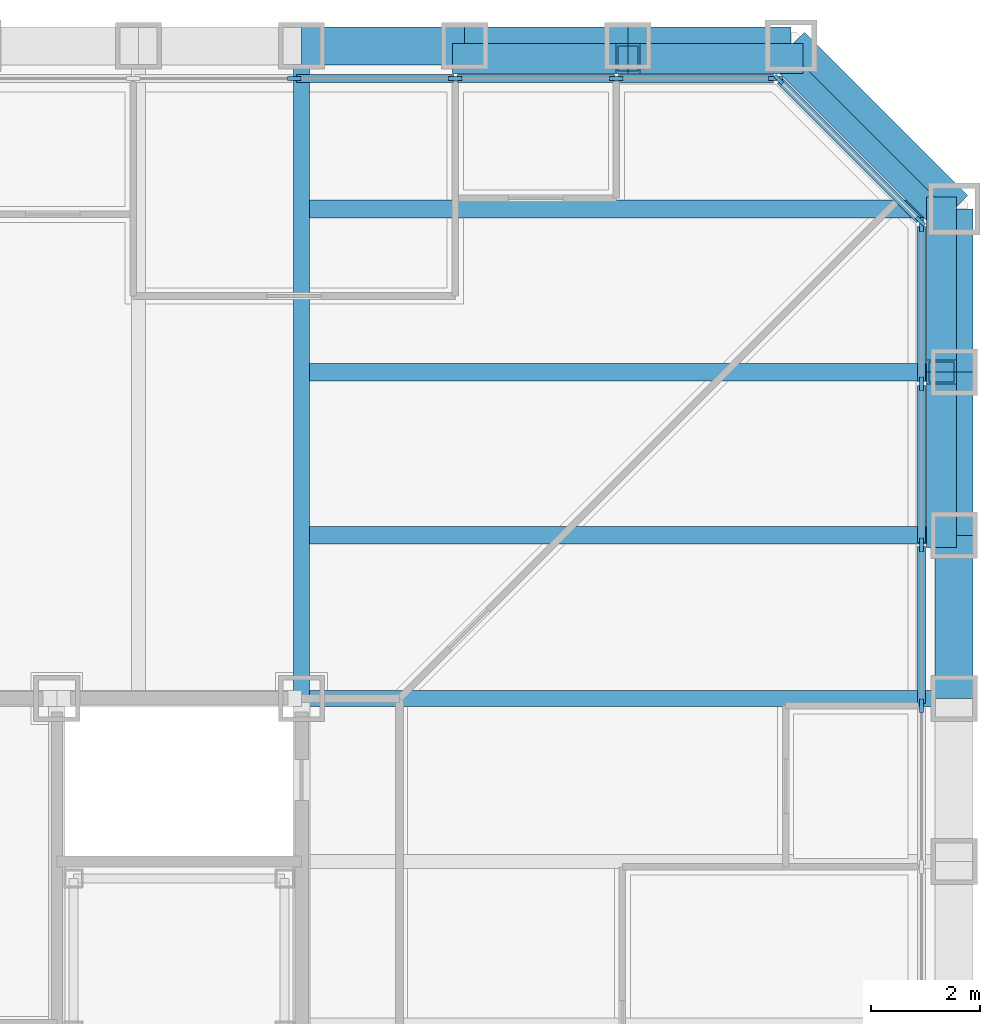
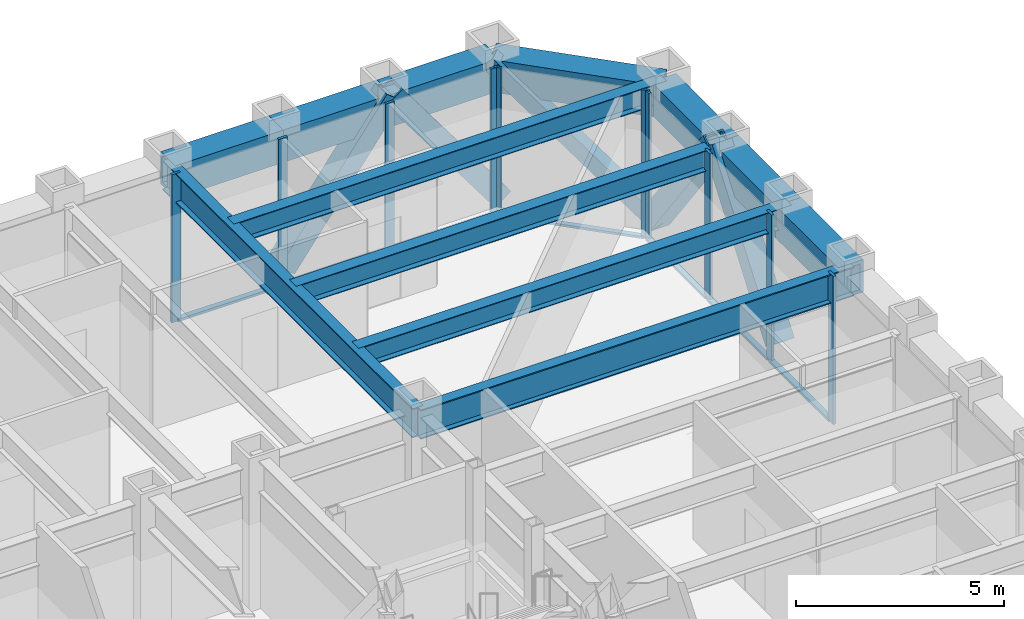
# One storey, part 6 of 17: 22 members, 12 beams, 3 elements without a shape of their own.
"""IFC4 building model written with IfcOpenShell, lengths in metres."""

import ifcopenshell
import ifcopenshell.guid

model = None  # the IFC model being written
_history = None  # IfcOwnerHistory: only IFC2X3 demands one
_inside = {}  # id of a spatial element -> (the spatial element, [elements in it])
_under = {}  # id of a project, library or spatial element -> (it, [spatial elements below it])
_declared = {}  # id of a project -> (the project, [libraries it declares])
_typed = {}  # id of a type object -> (the type object, [elements of that type])
_made_of = {}  # id of a material, layer set ... -> (it, [elements and type objects made of it])


def new_model(schema):
    """Start an empty IFC model of exactly this schema.

    Asked for "IFC4X3", IfcOpenShell would pick the latest addendum, in which some entities
    have other attributes; the version numbers below select the first issue.
    IFC2X3 requires an IfcOwnerHistory on every rooted entity: one is made here for all.
    """
    global model, _history
    if schema == "IFC4X3":
        model = ifcopenshell.file(schema_version=(4, 3, 0, 0))
    else:
        model = ifcopenshell.file(schema=schema)
    _inside.clear()
    _under.clear()
    _declared.clear()
    _typed.clear()
    _made_of.clear()
    _history = None
    if model.schema == "IFC2X3":
        org = make("IfcOrganization", Name="unknown")
        user = make(
            "IfcPersonAndOrganization",
            ThePerson=make("IfcPerson", FamilyName="unknown"),
            TheOrganization=org,
        )
        app = make(
            "IfcApplication",
            ApplicationDeveloper=org,
            Version="unknown",
            ApplicationFullName="unknown",
            ApplicationIdentifier="unknown",
        )
        _history = make(
            "IfcOwnerHistory",
            OwningUser=user,
            OwningApplication=app,
            ChangeAction="ADDED",
            CreationDate=0,
        )
    return model


def make(cls, **values):
    """One entity of the class cls with the attributes given. An attribute that is None is left unset."""
    return model.create_entity(
        cls, **{name: value for name, value in values.items() if value is not None}
    )


def rooted(cls, **values):
    """An entity with a GlobalId (a new one), such as an element, a storey or a relation."""
    return make(cls, GlobalId=ifcopenshell.guid.new(), OwnerHistory=_history, **values)


def si_unit(unit_type, name, prefix=None):
    """IfcSIUnit, for example si_unit("LENGTHUNIT", "METRE", prefix="MILLI")."""
    return make("IfcSIUnit", UnitType=unit_type, Prefix=prefix, Name=name)


def assignment(units):
    """IfcUnitAssignment: the units of a project."""
    return None if units is None else make("IfcUnitAssignment", Units=units)


def point(xyz):
    """IfcCartesianPoint."""
    return None if xyz is None else make("IfcCartesianPoint", Coordinates=xyz)


def direction(xyz):
    """IfcDirection."""
    return None if xyz is None else make("IfcDirection", DirectionRatios=xyz)


def frame(location, z_axis=None, x_axis=None):
    """IfcAxis2Placement3D, a coordinate frame: its origin and axes. An axis left out is left unset."""
    return make(
        "IfcAxis2Placement3D",
        Location=point(location),
        Axis=direction(z_axis),
        RefDirection=direction(x_axis),
    )


def frame_2d(location, x_axis=None):
    """IfcAxis2Placement2D, a coordinate frame in the plane: its origin and x axis."""
    return make(
        "IfcAxis2Placement2D", Location=point(location), RefDirection=direction(x_axis)
    )


def origin():
    """The frame at (0, 0, 0) with its axes left unset."""
    return frame((0.0, 0.0, 0.0))


def origin_2d():
    """The frame at (0, 0) in the plane with its x axis left unset."""
    return frame_2d((0.0, 0.0))


def place(relative_to, where):
    """IfcLocalPlacement: puts the frame where relative to a parent placement (None: the world)."""
    return make(
        "IfcLocalPlacement", PlacementRelTo=relative_to, RelativePlacement=where
    )


def context(
    kind, dimensions, precision=None, world=None, true_north=None, identifier=None
):
    """IfcGeometricRepresentationContext, for example the 3D "Model" context."""
    return make(
        "IfcGeometricRepresentationContext",
        ContextIdentifier=identifier,
        ContextType=kind,
        CoordinateSpaceDimension=dimensions,
        Precision=precision,
        WorldCoordinateSystem=world,
        TrueNorth=true_north,
    )


def subcontext(parent, identifier, kind, view, scale=None):
    """IfcGeometricRepresentationSubContext, for example "Body" below "Model"."""
    return make(
        "IfcGeometricRepresentationSubContext",
        ContextIdentifier=identifier,
        ContextType=kind,
        ParentContext=parent,
        TargetScale=scale,
        TargetView=view,
    )


def project(units=None, contexts=None):
    """IfcProject with its units and contexts."""
    return rooted(
        "IfcProject",
        Name="project",
        RepresentationContexts=contexts,
        UnitsInContext=assignment(units),
    )


def spatial(cls, under=None, at=None, **own):
    """A site, building, storey or space (cls), placed at a placement, below another one or the project."""
    s = rooted(cls, ObjectPlacement=at, **own)
    if under is not None:
        _under.setdefault(under.id(), (under, []))[1].append(s)
    return s


def profile(cls, at=None, kind="AREA", **sizes):
    """A parametric profile (cls). Its sizes go by their IFC names, for example OverallWidth=200.0."""
    return make(cls, ProfileType=kind, Position=at, **sizes)


def rectangle(**sizes):
    """IfcRectangleProfileDef."""
    return profile("IfcRectangleProfileDef", **sizes)


def hollow_rectangle(**sizes):
    """IfcRectangleHollowProfileDef."""
    return profile("IfcRectangleHollowProfileDef", **sizes)


def i_section(**sizes):
    """IfcIShapeProfileDef."""
    return profile("IfcIShapeProfileDef", **sizes)


def extrude(swept, where, along, depth):
    """IfcExtrudedAreaSolid: the profile swept, set in the frame where, extruded along a direction by depth."""
    return make(
        "IfcExtrudedAreaSolid",
        SweptArea=swept,
        Position=where,
        ExtrudedDirection=direction(along),
        Depth=depth,
    )


def shape(context_of_items, identifier, shape_type, items):
    """IfcShapeRepresentation: the items that make up one representation, for example the "Body"."""
    return make(
        "IfcShapeRepresentation",
        ContextOfItems=context_of_items,
        RepresentationIdentifier=identifier,
        RepresentationType=shape_type,
        Items=items,
    )


def material(Name=None, Category=None):
    """IfcMaterial."""
    return make("IfcMaterial", Name=Name, Category=Category)


def layer(
    of_material, thickness, ventilated=None, Name=None, Category=None, Priority=None
):
    """IfcMaterialLayer: one layer of a wall or slab, of a material (None: an air gap)."""
    return make(
        "IfcMaterialLayer",
        Material=of_material,
        LayerThickness=thickness,
        IsVentilated=ventilated,
        Name=Name,
        Category=Category,
        Priority=Priority,
    )


def layer_set(layers, Name=None):
    """IfcMaterialLayerSet."""
    return make("IfcMaterialLayerSet", MaterialLayers=layers, LayerSetName=Name)


def material_profile(
    of_material, cross_section, Name=None, Category=None, Priority=None
):
    """IfcMaterialProfile: a cross section and its material."""
    return make(
        "IfcMaterialProfile",
        Name=Name,
        Material=of_material,
        Profile=cross_section,
        Priority=Priority,
        Category=Category,
    )


def profile_set(profiles, Name=None, composite=None):
    """IfcMaterialProfileSet."""
    return make(
        "IfcMaterialProfileSet",
        Name=Name,
        MaterialProfiles=profiles,
        CompositeProfile=composite,
    )


def made_of(thing, what):
    """Note that an element or type object is made of a material, layer set ...; save() writes the relation."""
    if what is not None:
        _made_of.setdefault(what.id(), (what, []))[1].append(thing)
    return thing


def type_object(cls, material=None, **own):
    """A type object (cls), such as IfcWallType, which elements share."""
    return made_of(rooted(cls, **own), material)


def element(
    cls,
    number,
    at=None,
    inside=None,
    cuts=None,
    type_object=None,
    material=None,
    context=None,
    identifier="Body",
    shape_type=None,
    held_by="IfcProductDefinitionShape",
    body=None,
    shapes=None,
    **own,
):
    """One element of the class cls, such as IfcWall. Its Tag is "e" and its number.

    at: its placement. inside: the storey or other place that contains it. cuts: it is an
    opening in that element (IfcRelVoidsElement). A single representation is given by context,
    identifier, shape_type and body (its items); several are given by shapes. held_by: the class
    of the entity that holds the representations. save() writes the other relations.
    """
    e = rooted(cls, Tag="e%d" % number, ObjectPlacement=at, **own)
    if body is not None:
        shapes = [shape(context, identifier, shape_type, body)]
    if shapes is not None:
        e.Representation = make(held_by, Representations=shapes)
    if inside is not None:
        _inside.setdefault(inside.id(), (inside, []))[1].append(e)
    if cuts is not None:
        rooted(
            "IfcRelVoidsElement", RelatingBuildingElement=cuts, RelatedOpeningElement=e
        )
    if type_object is not None:
        _typed.setdefault(type_object.id(), (type_object, []))[1].append(e)
    return made_of(e, material)


def aggregate(whole, parts):
    """IfcRelAggregates: a whole, such as a stair, and the parts it consists of."""
    return rooted("IfcRelAggregates", RelatingObject=whole, RelatedObjects=parts)


def save(model, path):
    """Write the relations noted so far, then the file.

    IfcRelAggregates (storeys below a building ...), IfcRelContainedInSpatialStructure (elements
    in a storey), IfcRelDefinesByType, IfcRelAssociatesMaterial and IfcRelDeclares: one each for
    every whole, place, type object, material and project.
    """
    for whole, parts in _under.values():
        aggregate(whole, parts)
    for where, things in _inside.values():
        rooted(
            "IfcRelContainedInSpatialStructure",
            RelatedElements=things,
            RelatingStructure=where,
        )
    for kind, things in _typed.values():
        rooted("IfcRelDefinesByType", RelatedObjects=things, RelatingType=kind)
    for what, things in _made_of.values():
        rooted("IfcRelAssociatesMaterial", RelatedObjects=things, RelatingMaterial=what)
    for by, libraries in _declared.values():
        rooted("IfcRelDeclares", RelatingContext=by, RelatedDefinitions=libraries)
    model.write(path)


model = new_model("IFC4")

# Units and contexts
model_context = context("Model", 3, precision=1e-05, world=origin(), true_north=direction((0.0, 1.0)))
body_context = subcontext(model_context, "Body", "Model", "MODEL_VIEW")
ifc_project = project(units=[si_unit("LENGTHUNIT", "METRE"), si_unit("AREAUNIT", "SQUARE_METRE"), si_unit("VOLUMEUNIT", "CUBIC_METRE"), si_unit("PLANEANGLEUNIT", "RADIAN"), si_unit("MASSUNIT", "GRAM", prefix="KILO")], contexts=[model_context])

# Site, building, storey
site_placement = place(None, origin())
site = spatial("IfcSite", under=ifc_project, at=site_placement, CompositionType="ELEMENT")
building_placement = place(site_placement, origin())
building = spatial("IfcBuilding", under=site, at=building_placement, Name="Chuquiago Exchange Tower", CompositionType="ELEMENT")
storey_placement = place(building_placement, frame((0.0, 0.0, 87.300048828125)))
storey = spatial("IfcBuildingStorey", under=building, at=storey_placement, Name="L18", CompositionType="ELEMENT", Elevation=87.300048828125)

# Beams
ifc_material_1 = material(Name="Steel ASTM A992", Category="steel")
ifc_material_profile_1 = material_profile(ifc_material_1, i_section(OverallWidth=0.3251953125, OverallDepth=0.6171875, WebThickness=0.013916015625, FlangeThickness=0.021484375, at=origin_2d()), Name="W24X117")
ifc_profile_set_1 = profile_set([ifc_material_profile_1], Name="Steel ASTM A992")
beam_type_1 = type_object("IfcBeamType", Name="B5 W24X117", PredefinedType="BEAM", material=ifc_profile_set_1)
for number, where, z_axis, x_axis, name in (
    (1, (33.0, 36.0, 3.7314453125), (1.0, 0.0, 0.0), (0.0, 1.0, 0.0), "FB-L19-corner-33_36-45_36-0"),
    (2, (33.0, 39.0, 3.7314453125), (1.0, 0.0, 0.0), (0.0, 1.0, 0.0), "FB-L19-corner-33_39-45_39-0"),
    (3, (33.0, 42.0, 3.7314453125), (1.0, 0.0, 0.0), (0.0, 1.0, 0.0), "FB-L19-corner-33_42-45_42-0"),
):
    element("IfcBeam", number, at=place(storey_placement, frame(where, z_axis=z_axis, x_axis=x_axis)), inside=storey, type_object=beam_type_1, Name=name, PredefinedType="BEAM", context=body_context, shape_type="SweptSolid", body=[
        extrude(i_section(OverallWidth=0.3251953125, OverallDepth=0.6171875, WebThickness=0.013916015625, FlangeThickness=0.021484375, at=origin_2d()), origin(), (0.0, 0.0, 1.0), 12.0),
    ])

# Curtain wall, members
ifc_material_2 = material(Name="Aluminium curtain wall system", Category="aluminium")
ifc_layer_1 = layer(ifc_material_2, 0.25)
ifc_layer_set_1 = layer_set([ifc_layer_1], Name="CW1 trading floor curtain wall")
curtain_wall_type_1 = type_object("IfcCurtainWallType", Name="CW1 trading floor curtain wall", PredefinedType="NOTDEFINED", material=ifc_layer_set_1)
curtain_wall_1_placement = place(storey_placement, origin())
curtain_wall_1 = element("IfcCurtainWall", 4, at=curtain_wall_1_placement, inside=storey, type_object=curtain_wall_type_1, Name="CW1 curtain wall L18", PredefinedType="NOTDEFINED")
ifc_material_3 = material(Name="Aluminium mullion, pale anodised", Category="aluminium")
ifc_material_profile_2 = material_profile(ifc_material_3, rectangle(XDim=0.074951171875, YDim=0.25, at=origin_2d()), Name="AL 75x250")
ifc_profile_set_2 = profile_set([ifc_material_profile_2], Name="Aluminium mullion, pale anodised")
member_type_1 = type_object("IfcMemberType", Name="CW1-M mullion 75x250", PredefinedType="MULLION", material=ifc_profile_set_2)
member_1_placement = place(storey_placement, frame((44.39990234375, 32.8662109375, -0.300048828125), z_axis=(0.0, 0.0, 1.0), x_axis=(-1.0, 0.0, 0.0)))
member_1 = element("IfcMember", 5, at=member_1_placement, type_object=member_type_1, Name="CW1 mullion 11", PredefinedType="MULLION", context=body_context, shape_type="SweptSolid", body=[
    extrude(rectangle(XDim=0.074951171875, YDim=0.25, at=origin_2d()), origin(), (0.0, 0.0, 1.0), 4.340087890625),
])
member_2_placement = place(storey_placement, frame((44.39990234375, 35.827880859375, -0.300048828125), z_axis=(0.0, 0.0, 1.0), x_axis=(-1.0, 0.0, 0.0)))
member_2 = element("IfcMember", 6, at=member_2_placement, type_object=member_type_1, Name="CW1 mullion 12", PredefinedType="MULLION", context=body_context, shape_type="SweptSolid", body=[
    extrude(rectangle(XDim=0.074951171875, YDim=0.25, at=origin_2d()), origin(), (0.0, 0.0, 1.0), 4.340087890625),
])
member_3_placement = place(storey_placement, frame((44.39990234375, 38.789794921875, -0.300048828125), z_axis=(0.0, 0.0, 1.0), x_axis=(-1.0, 0.0, 0.0)))
member_3 = element("IfcMember", 7, at=member_3_placement, type_object=member_type_1, Name="CW1 mullion 13", PredefinedType="MULLION", context=body_context, shape_type="SweptSolid", body=[
    extrude(rectangle(XDim=0.074951171875, YDim=0.25, at=origin_2d()), origin(), (0.0, 0.0, 1.0), 4.340087890625),
])
member_4_placement = place(storey_placement, frame((44.39990234375, 41.714111328125, -0.300048828125), z_axis=(0.0, 0.0, 1.0), x_axis=(-1.0, 0.0, 0.0)))
member_4 = element("IfcMember", 8, at=member_4_placement, type_object=member_type_1, Name="CW1 mullion 14", PredefinedType="MULLION", context=body_context, shape_type="SweptSolid", body=[
    extrude(rectangle(XDim=0.074951171875, YDim=0.25, at=origin_2d()), origin(), (0.0, 0.0, 1.0), 4.340087890625),
])

curtain_wall_2_placement = place(storey_placement, origin())
curtain_wall_2 = element("IfcCurtainWall", 9, at=curtain_wall_2_placement, inside=storey, type_object=curtain_wall_type_1, Name="CW1 curtain wall L18", PredefinedType="NOTDEFINED")
member_5_placement = place(storey_placement, frame((41.714111328125, 44.39990234375, -0.300048828125), z_axis=(0.0, 0.0, 1.0), x_axis=(0.0, -1.0, 0.0)))
member_5 = element("IfcMember", 10, at=member_5_placement, type_object=member_type_1, Name="CW1 mullion 1", PredefinedType="MULLION", context=body_context, shape_type="SweptSolid", body=[
    extrude(rectangle(XDim=0.074951171875, YDim=0.25, at=origin_2d()), origin(), (0.0, 0.0, 1.0), 4.340087890625),
])
member_6_placement = place(storey_placement, frame((38.789794921875, 44.39990234375, -0.300048828125), z_axis=(0.0, 0.0, 1.0), x_axis=(0.0, -1.0, 0.0)))
member_6 = element("IfcMember", 11, at=member_6_placement, type_object=member_type_1, Name="CW1 mullion 2", PredefinedType="MULLION", context=body_context, shape_type="SweptSolid", body=[
    extrude(rectangle(XDim=0.074951171875, YDim=0.25, at=origin_2d()), origin(), (0.0, 0.0, 1.0), 4.340087890625),
])
member_7_placement = place(storey_placement, frame((35.827880859375, 44.39990234375, -0.300048828125), z_axis=(0.0, 0.0, 1.0), x_axis=(0.0, -1.0, 0.0)))
member_7 = element("IfcMember", 12, at=member_7_placement, type_object=member_type_1, Name="CW1 mullion 3", PredefinedType="MULLION", context=body_context, shape_type="SweptSolid", body=[
    extrude(rectangle(XDim=0.074951171875, YDim=0.25, at=origin_2d()), origin(), (0.0, 0.0, 1.0), 4.340087890625),
])
member_8_placement = place(storey_placement, frame((32.8662109375, 44.39990234375, -0.300048828125), z_axis=(0.0, 0.0, 1.0), x_axis=(0.0, -1.0, 0.0)))
member_8 = element("IfcMember", 13, at=member_8_placement, type_object=member_type_1, Name="CW1 mullion 4", PredefinedType="MULLION", context=body_context, shape_type="SweptSolid", body=[
    extrude(rectangle(XDim=0.074951171875, YDim=0.25, at=origin_2d()), origin(), (0.0, 0.0, 1.0), 4.340087890625),
])

# Member
ifc_material_4 = material(Name="Aluminium transom, pale anodised", Category="aluminium")
ifc_material_profile_3 = material_profile(ifc_material_4, rectangle(XDim=0.14990234375, YDim=0.074951171875, at=origin_2d()), Name="AL 150x75")
ifc_profile_set_3 = profile_set([ifc_material_profile_3], Name="Aluminium transom, pale anodised")
member_type_2 = type_object("IfcMemberType", Name="CW1-T transom 75x150", PredefinedType="MULLION", material=ifc_profile_set_3)
member_9_placement = place(storey_placement, frame((44.39990234375, 32.90380859375, -0.262451171875), z_axis=(0.0, 1.0, 0.0), x_axis=(-1.0, 0.0, 0.0)))
member_9 = element("IfcMember", 14, at=member_9_placement, type_object=member_type_2, Name="CW1 transom 11.1", PredefinedType="MULLION", context=body_context, shape_type="SweptSolid", body=[
    extrude(rectangle(XDim=0.14990234375, YDim=0.074951171875, at=origin_2d()), origin(), (0.0, 0.0, 1.0), 2.88671875),
])

member_10_placement = place(storey_placement, frame((44.39990234375, 35.865478515625, -0.262451171875), z_axis=(0.0, 1.0, 0.0), x_axis=(-1.0, 0.0, 0.0)))
member_10 = element("IfcMember", 15, at=member_10_placement, type_object=member_type_2, Name="CW1 transom 12.1", PredefinedType="MULLION", context=body_context, shape_type="SweptSolid", body=[
    extrude(rectangle(XDim=0.14990234375, YDim=0.074951171875, at=origin_2d()), origin(), (0.0, 0.0, 1.0), 2.88671875),
])

member_11_placement = place(storey_placement, frame((44.39990234375, 38.8271484375, -0.262451171875), z_axis=(0.0, 1.0, 0.0), x_axis=(-1.0, 0.0, 0.0)))
member_11 = element("IfcMember", 16, at=member_11_placement, type_object=member_type_2, Name="CW1 transom 13.1", PredefinedType="MULLION", context=body_context, shape_type="SweptSolid", body=[
    extrude(rectangle(XDim=0.14990234375, YDim=0.074951171875, at=origin_2d()), origin(), (0.0, 0.0, 1.0), 2.849365234375),
])

aggregate(curtain_wall_1, [member_1, member_2, member_3, member_4, member_9, member_10, member_11])

member_12_placement = place(storey_placement, frame((41.676513671875, 44.39990234375, -0.262451171875), z_axis=(-1.0, 0.0, 0.0), x_axis=(0.0, -1.0, 0.0)))
member_12 = element("IfcMember", 17, at=member_12_placement, type_object=member_type_2, Name="CW1 transom 1.1", PredefinedType="MULLION", context=body_context, shape_type="SweptSolid", body=[
    extrude(rectangle(XDim=0.14990234375, YDim=0.074951171875, at=origin_2d()), origin(), (0.0, 0.0, 1.0), 2.849365234375),
])

member_13_placement = place(storey_placement, frame((38.752197265625, 44.39990234375, -0.262451171875), z_axis=(-1.0, 0.0, 0.0), x_axis=(0.0, -1.0, 0.0)))
member_13 = element("IfcMember", 18, at=member_13_placement, type_object=member_type_2, Name="CW1 transom 2.1", PredefinedType="MULLION", context=body_context, shape_type="SweptSolid", body=[
    extrude(rectangle(XDim=0.14990234375, YDim=0.074951171875, at=origin_2d()), origin(), (0.0, 0.0, 1.0), 2.88671875),
])

member_14_placement = place(storey_placement, frame((35.79052734375, 44.39990234375, -0.262451171875), z_axis=(-1.0, 0.0, 0.0), x_axis=(0.0, -1.0, 0.0)))
member_14 = element("IfcMember", 19, at=member_14_placement, type_object=member_type_2, Name="CW1 transom 3.1", PredefinedType="MULLION", context=body_context, shape_type="SweptSolid", body=[
    extrude(rectangle(XDim=0.14990234375, YDim=0.074951171875, at=origin_2d()), origin(), (0.0, 0.0, 1.0), 2.88671875),
])

aggregate(curtain_wall_2, [member_5, member_6, member_7, member_8, member_12, member_13, member_14])

# Curtain wall, members
ifc_material_5 = material(Name="Aluminium curtain wall system", Category="aluminium")
ifc_layer_2 = layer(ifc_material_5, 0.199951171875)
ifc_layer_set_2 = layer_set([ifc_layer_2], Name="CW3 facet curtain wall")
curtain_wall_type_2 = type_object("IfcCurtainWallType", Name="CW3 facet curtain wall", PredefinedType="NOTDEFINED", material=ifc_layer_set_2)
curtain_wall_3_placement = place(storey_placement, origin())
curtain_wall_3 = element("IfcCurtainWall", 20, at=curtain_wall_3_placement, inside=storey, type_object=curtain_wall_type_2, Name="CW3 curtain wall L18", PredefinedType="NOTDEFINED")
ifc_material_6 = material(Name="Aluminium mullion, pale anodised", Category="aluminium")
ifc_material_profile_4 = material_profile(ifc_material_6, rectangle(XDim=0.06494140625, YDim=0.199951171875, at=origin_2d()), Name="AL 65x200")
ifc_profile_set_4 = profile_set([ifc_material_profile_4], Name="Aluminium mullion, pale anodised")
member_type_3 = type_object("IfcMemberType", Name="CW3-M mullion 65x200", PredefinedType="MULLION", material=ifc_profile_set_4)
member_15_placement = place(storey_placement, frame((44.376953125, 41.7744140625, -0.300048828125), z_axis=(0.0, 0.0, 1.0), x_axis=(-0.707106781187, -0.707106781187, 0.0)))
member_15 = element("IfcMember", 21, at=member_15_placement, type_object=member_type_3, Name="CW3 mullion 1", PredefinedType="MULLION", context=body_context, shape_type="SweptSolid", body=[
    extrude(rectangle(XDim=0.06494140625, YDim=0.199951171875, at=origin_2d()), origin(), (0.0, 0.0, 1.0), 4.340087890625),
])
member_16_placement = place(storey_placement, frame((41.7744140625, 44.376953125, -0.300048828125), z_axis=(0.0, 0.0, 1.0), x_axis=(-0.707106781187, -0.707106781187, 0.0)))
member_16 = element("IfcMember", 22, at=member_16_placement, type_object=member_type_3, Name="CW3 mullion 2", PredefinedType="MULLION", context=body_context, shape_type="SweptSolid", body=[
    extrude(rectangle(XDim=0.06494140625, YDim=0.199951171875, at=origin_2d()), origin(), (0.0, 0.0, 1.0), 4.340087890625),
])
ifc_material_7 = material(Name="Aluminium transom, pale anodised", Category="aluminium")
ifc_material_profile_5 = material_profile(ifc_material_7, rectangle(XDim=0.139892578125, YDim=0.06494140625, at=origin_2d()), Name="AL 140x65")
ifc_profile_set_5 = profile_set([ifc_material_profile_5], Name="Aluminium transom, pale anodised")
member_type_4 = type_object("IfcMemberType", Name="CW3-T transom 65x140", PredefinedType="MULLION", material=ifc_profile_set_5)
member_17_placement = place(storey_placement, frame((44.35400390625, 41.79736328125, -0.267578125), z_axis=(-0.707106781187, 0.707106781187, 0.0), x_axis=(-0.707106781187, -0.707106781187, 0.0)))
member_17 = element("IfcMember", 23, at=member_17_placement, type_object=member_type_4, Name="CW3 transom 1.1", PredefinedType="MULLION", context=body_context, shape_type="SweptSolid", body=[
    extrude(rectangle(XDim=0.139892578125, YDim=0.06494140625, at=origin_2d()), origin(), (0.0, 0.0, 1.0), 3.61572265625),
])
aggregate(curtain_wall_3, [member_15, member_16, member_17])

# Beams
ifc_material_8 = material(Name="Steel ASTM A992", Category="steel")
ifc_material_profile_6 = material_profile(ifc_material_8, i_section(OverallWidth=0.2919921875, OverallDepth=0.8583984375, WebThickness=0.01708984375, FlangeThickness=0.031005859375, at=origin_2d()), Name="W33X169")
ifc_profile_set_6 = profile_set([ifc_material_profile_6], Name="Steel ASTM A992")
beam_type_2 = type_object("IfcBeamType", Name="G2 W33X169", PredefinedType="BEAM", material=ifc_profile_set_6)
for number, where, z_axis, x_axis, name in (
    (24, (33.0, 33.0, 3.610595703125), (0.0, 1.0, 0.0), (-1.0, 0.0, 0.0), "FB-L19-girder-33_33-33_45-0"),
    (25, (33.0, 33.0, 3.610595703125), (1.0, 0.0, 0.0), (0.0, 1.0, 0.0), "FB-L19-girder-33_33-45_33-0"),
):
    element("IfcBeam", number, at=place(storey_placement, frame(where, z_axis=z_axis, x_axis=x_axis)), inside=storey, type_object=beam_type_2, Name=name, PredefinedType="BEAM", context=body_context, shape_type="SweptSolid", body=[
        extrude(i_section(OverallWidth=0.2919921875, OverallDepth=0.8583984375, WebThickness=0.01708984375, FlangeThickness=0.031005859375, at=origin_2d()), origin(), (0.0, 0.0, 1.0), 12.0),
    ])

# Members
ifc_material_9 = material(Name="Steel ASTM A500 Grade C", Category="steel")
ifc_material_profile_7 = material_profile(ifc_material_9, hollow_rectangle(XDim=0.406494140625, YDim=0.406494140625, WallThickness=0.0146484375, at=origin_2d()), Name="HSS16X16X5/8")
ifc_profile_set_7 = profile_set([ifc_material_profile_7], Name="Steel ASTM A500 Grade C")
member_type_5 = type_object("IfcMemberType", Name="LB4 HSS16X16X5/8", PredefinedType="BRACE", material=ifc_profile_set_7)
member_18_placement = place(storey_placement, frame((44.78662109375, 41.78662109375, 0.0), z_axis=(-0.512077265487, 0.512077265487, 0.689604051861), x_axis=(-0.707106781187, -0.707106781187, 0.0)))
element("IfcMember", 26, at=member_18_placement, inside=storey, type_object=member_type_5, Name="LB-L18-45_42-42_45", PredefinedType="BRACE", context=body_context, shape_type="SweptSolid", body=[
    extrude(hollow_rectangle(XDim=0.406494140625, YDim=0.406494140625, WallThickness=0.0146484375, at=origin_2d()), origin(), (0.0, 0.0, 1.0), 5.8583984375),
])
ifc_material_10 = material(Name="Steel ASTM A572 Grade 50", Category="steel")
ifc_material_profile_8 = material_profile(ifc_material_10, hollow_rectangle(XDim=0.550048828125, YDim=0.550048828125, WallThickness=0.044921875, at=origin_2d()), Name="BOX550X550X45")
ifc_profile_set_8 = profile_set([ifc_material_profile_8], Name="Steel ASTM A572 Grade 50")
member_type_6 = type_object("IfcMemberType", Name="MB1 BOX550X550X45", PredefinedType="BRACE", material=ifc_profile_set_8)
for number, where, z_axis, x_axis, name in (
    (27, (44.77001953125, 36.0, 0.0), (0.0, 0.596173923302, 0.802855312728), (-1.0, 0.0, 0.0), "Mega diagonal L18 E face"),
    (28, (44.77001953125, 42.0, 0.0), (0.0, -0.596173923302, 0.802855312728), (1.0, 0.0, 0.0), "Mega diagonal L18 E face"),
    (29, (42.0, 44.77001953125, 0.0), (-0.596173923302, 0.0, 0.802855312728), (0.0, -1.0, 0.0), "Mega diagonal L18 N face"),
    (30, (36.0, 44.77001953125, 0.0), (0.596173923302, 0.0, 0.802855312728), (0.0, 1.0, 0.0), "Mega diagonal L18 N face"),
):
    element("IfcMember", number, at=place(storey_placement, frame(where, z_axis=z_axis, x_axis=x_axis)), inside=storey, type_object=member_type_6, Name=name, PredefinedType="BRACE", context=body_context, shape_type="SweptSolid", body=[
        extrude(hollow_rectangle(XDim=0.550048828125, YDim=0.550048828125, WallThickness=0.044921875, at=origin_2d()), origin(), (0.0, 0.0, 1.0), 5.031982421875),
    ])

# Beams
ifc_material_11 = material(Name="Steel ASTM A572 Grade 50", Category="steel")
ifc_material_profile_9 = material_profile(ifc_material_11, hollow_rectangle(XDim=0.699951171875, YDim=0.949951171875, WallThickness=0.10009765625, at=origin_2d()), Name="BOX950X700X100")
ifc_profile_set_9 = profile_set([ifc_material_profile_9], Name="Steel ASTM A572 Grade 50")
beam_type_3 = type_object("IfcBeamType", Name="SP5 BOX950X700X100", PredefinedType="SPANDREL", material=ifc_profile_set_9)
for number, where, z_axis, x_axis, name in (
    (31, (45.0, 33.0, 3.56494140625), (0.0, 1.0, 0.0), (-1.0, 0.0, 0.0), "SPB-L19-45_33-45_36"),
    (32, (45.0, 36.0, 3.56494140625), (0.0, 1.0, 0.0), (-1.0, 0.0, 0.0), "SPB-L19-45_36-45_39"),
    (33, (45.0, 39.0, 3.56494140625), (0.0, 1.0, 0.0), (-1.0, 0.0, 0.0), "SPB-L19-45_39-45_42"),
):
    element("IfcBeam", number, at=place(storey_placement, frame(where, z_axis=z_axis, x_axis=x_axis)), inside=storey, type_object=beam_type_3, Name=name, PredefinedType="SPANDREL", context=body_context, shape_type="SweptSolid", body=[
        extrude(hollow_rectangle(XDim=0.699951171875, YDim=0.949951171875, WallThickness=0.10009765625, at=origin_2d()), origin(), (0.0, 0.0, 1.0), 3.0),
    ])
beam_placement = place(storey_placement, frame((45.0, 42.0, 3.56494140625), z_axis=(-0.707106781187, 0.707106781187, 0.0), x_axis=(-0.707106781187, -0.707106781187, 0.0)))
element("IfcBeam", 34, at=beam_placement, inside=storey, type_object=beam_type_3, Name="SPB-L19-45_42-42_45", PredefinedType="SPANDREL", context=body_context, shape_type="SweptSolid", body=[
    extrude(hollow_rectangle(XDim=0.699951171875, YDim=0.949951171875, WallThickness=0.10009765625, at=origin_2d()), origin(), (0.0, 0.0, 1.0), 4.24267578125),
])
for number, where, z_axis, x_axis, name in (
    (35, (42.0, 45.0, 3.56494140625), (-1.0, 0.0, 0.0), (0.0, -1.0, 0.0), "SPB-L19-42_45-39_45"),
    (36, (39.0, 45.0, 3.56494140625), (-1.0, 0.0, 0.0), (0.0, -1.0, 0.0), "SPB-L19-39_45-36_45"),
    (37, (36.0, 45.0, 3.56494140625), (-1.0, 0.0, 0.0), (0.0, -1.0, 0.0), "SPB-L19-36_45-33_45"),
):
    element("IfcBeam", number, at=place(storey_placement, frame(where, z_axis=z_axis, x_axis=x_axis)), inside=storey, type_object=beam_type_3, Name=name, PredefinedType="SPANDREL", context=body_context, shape_type="SweptSolid", body=[
        extrude(hollow_rectangle(XDim=0.699951171875, YDim=0.949951171875, WallThickness=0.10009765625, at=origin_2d()), origin(), (0.0, 0.0, 1.0), 3.0),
    ])

save(model, "model.ifc")
